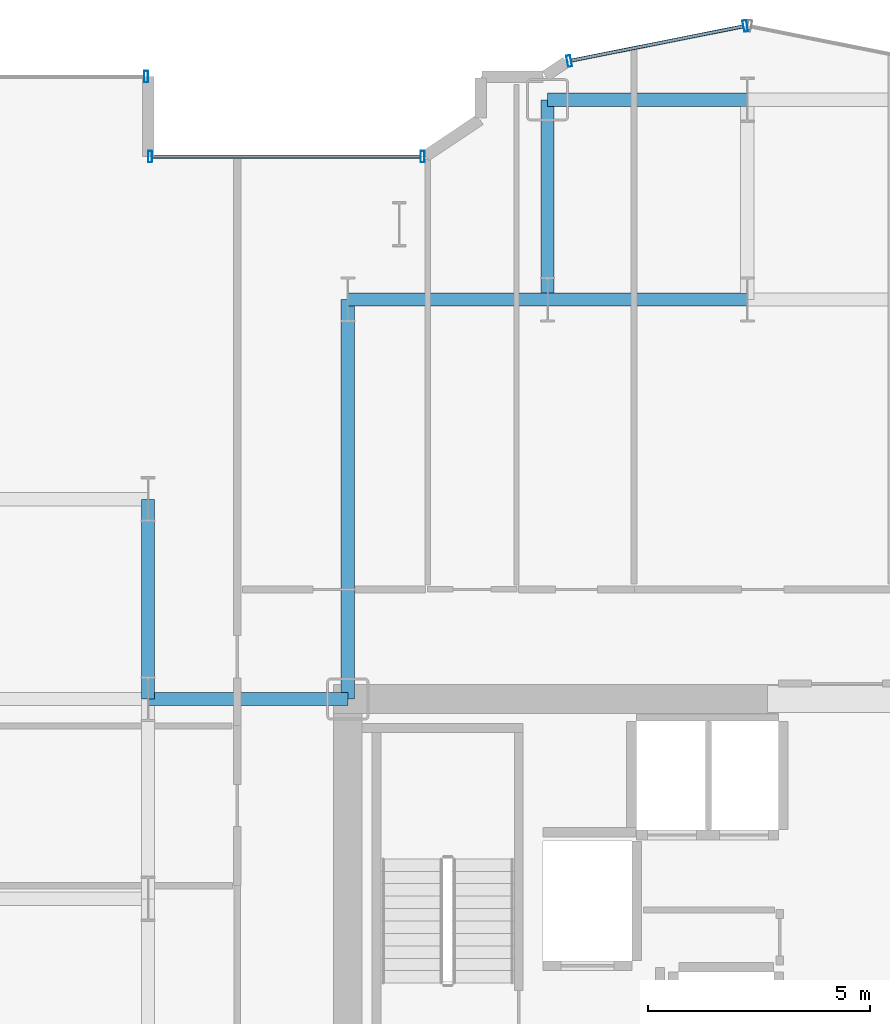
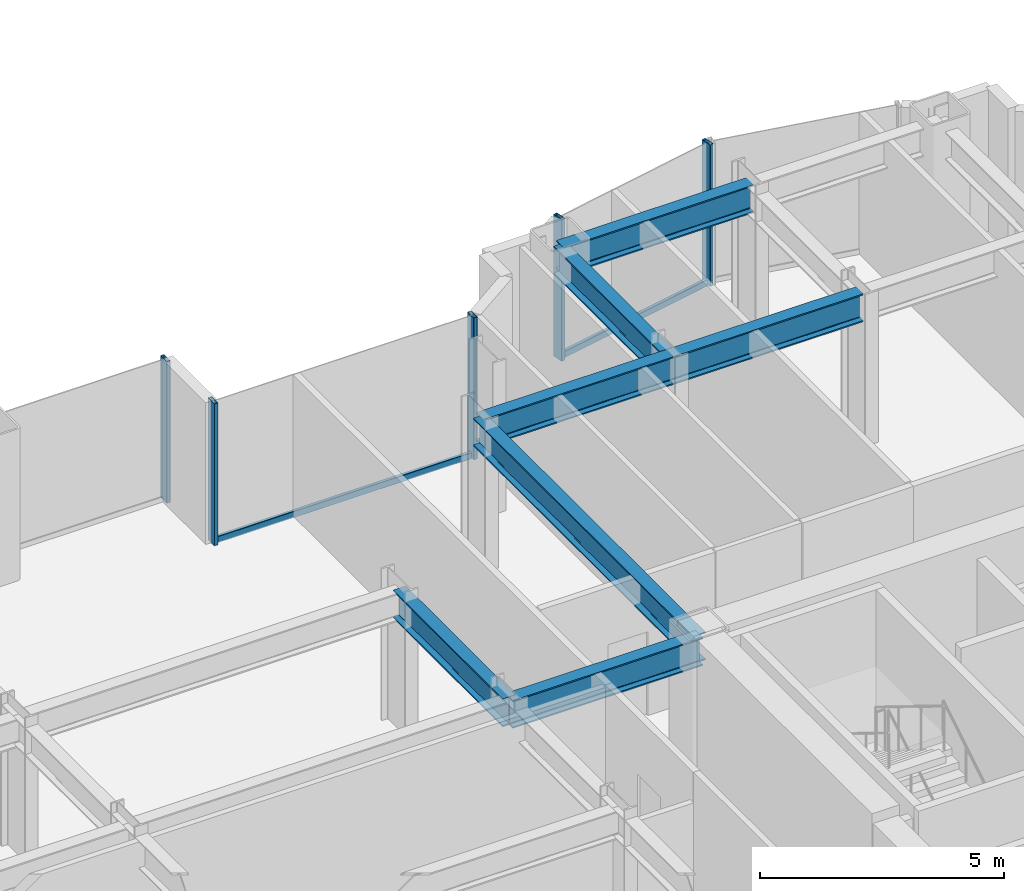
# One storey, part 10 of 27: 7 beams, 7 members, 3 elements without a shape of their own.
"""IFC4 building model written with IfcOpenShell, lengths in metres."""

from ifc_helpers import new_model, si_unit, direction, frame, origin, origin_2d, place, context, subcontext, project, spatial, hollow_rectangle, i_section, extrude, source, transform, mapped, material, layer, layer_set, material_profile, profile_set, type_object, element, aggregate, save


model = new_model("IFC4")

# Units and contexts
model_context = context("Model", 3, precision=1e-05, world=origin(), true_north=direction((0.0, 1.0)))
body_context = subcontext(model_context, "Body", "Model", "MODEL_VIEW")
ifc_project = project(units=[si_unit("LENGTHUNIT", "METRE"), si_unit("AREAUNIT", "SQUARE_METRE"), si_unit("VOLUMEUNIT", "CUBIC_METRE"), si_unit("PLANEANGLEUNIT", "RADIAN"), si_unit("MASSUNIT", "GRAM", prefix="KILO")], contexts=[model_context])

# Site, building, storey
site_placement = place(None, origin())
site = spatial("IfcSite", under=ifc_project, at=site_placement, CompositionType="ELEMENT")
building_placement = place(site_placement, origin())
building = spatial("IfcBuilding", under=site, at=building_placement, Name="Nefas-Gora Pilgrimage Tower", CompositionType="ELEMENT")
storey_placement = place(building_placement, frame((0.0, 0.0, 48.199951171875)))
storey = spatial("IfcBuildingStorey", under=building, at=storey_placement, Name="L10", CompositionType="ELEMENT", Elevation=48.199951171875)

# Beams
ifc_material_1 = material(Name="Steel S355", Category="steel")
ifc_material_profile_1 = material_profile(ifc_material_1, i_section(OverallWidth=0.300048828125, OverallDepth=0.699951171875, WebThickness=0.01708984375, FlangeThickness=0.031982421875, FilletRadius=0.027099609375, at=origin_2d()), Name="HEB 700")
ifc_profile_set_1 = profile_set([ifc_material_profile_1], Name="Steel S355")
beam_type = type_object("IfcBeamType", Name="BM-GIR-HEB700", PredefinedType="BEAM", material=ifc_profile_set_1)
shared_shape_1 = source(origin(), body_context, "Body", "SweptSolid", [
    extrude(i_section(OverallWidth=0.300048828125, OverallDepth=0.699951171875, WebThickness=0.01708984375, FlangeThickness=0.031982421875, FilletRadius=0.027099609375, at=origin_2d()), origin(), (0.0, 0.0, 1.0), 9.0),
])
beam_placement = place(storey_placement, frame((-11.25, 9.0, 3.199951171875), z_axis=(0.0, 1.0, 0.0), x_axis=(-1.0, 0.0, 0.0)))
element("IfcBeam", 1, at=beam_placement, inside=storey, type_object=beam_type, Name="L10 G-02 beam", PredefinedType="BEAM", context=body_context, shape_type="MappedRepresentation", body=[
    mapped(shared_shape_1, transform((0.0, 0.0, 0.0), x_axis=(1.0, 0.0, 0.0), y_axis=(0.0, 1.0, 0.0), z_axis=(0.0, 0.0, 1.0), scale=1.0)),
])
shared_shape_2 = source(origin(), body_context, "Body", "SweptSolid", [
    extrude(i_section(OverallWidth=0.300048828125, OverallDepth=0.699951171875, WebThickness=0.01708984375, FlangeThickness=0.031982421875, FilletRadius=0.027099609375, at=origin_2d()), origin(), (0.0, 0.0, 1.0), 4.5),
])
for number, where, z_axis, x_axis, name in (
    (2, (-15.75, 9.0, 3.199951171875), (0.0, 1.0, 0.0), (-1.0, 0.0, 0.0), "L10 G-02 beam"),
    (3, (-15.75, 9.0, 3.199951171875), (1.0, 0.0, 0.0), (0.0, 1.0, 0.0), "L10 G-02 beam"),
    (4, (-11.25, 18.0, 3.199951171875), (1.0, 0.0, 0.0), (0.0, 1.0, 0.0), "L10 G-02 beam"),
    (5, (-6.75, 18.0, 3.199951171875), (0.0, 1.0, 0.0), (-1.0, 0.0, 0.0), "L10 G-02 beam"),
    (6, (-6.75, 18.0, 3.199951171875), (1.0, 0.0, 0.0), (0.0, 1.0, 0.0), "L10 G-02 beam"),
    (7, (-6.75, 22.5, 3.199951171875), (1.0, 0.0, 0.0), (0.0, 1.0, 0.0), "L10 G-02 beam"),
):
    element("IfcBeam", number, at=place(storey_placement, frame(where, z_axis=z_axis, x_axis=x_axis)), inside=storey, type_object=beam_type, Name=name, PredefinedType="BEAM", context=body_context, shape_type="MappedRepresentation", body=[
        mapped(shared_shape_2, transform((0.0, 0.0, 0.0), x_axis=(1.0, 0.0, 0.0), y_axis=(0.0, 1.0, 0.0), z_axis=(0.0, 0.0, 1.0), scale=1.0)),
    ])

# Curtain wall, members
ifc_material_2 = material(Name="Dark ceramic-fritted solar-control aluminium-glass curtain wall", Category="aluminium")
ifc_layer_1 = layer(ifc_material_2, 0.219970703125)
ifc_layer_set_1 = layer_set([ifc_layer_1], Name="Dark ceramic-fritted solar-control aluminium-glass curtain wall")
curtain_wall_type_1 = type_object("IfcCurtainWallType", Name="CW-SYS-5", PredefinedType="NOTDEFINED", material=ifc_layer_set_1)
curtain_wall_1_placement = place(storey_placement, origin())
curtain_wall_1 = element("IfcCurtainWall", 8, at=curtain_wall_1_placement, inside=storey, type_object=curtain_wall_type_1, Name="L10 Unitised Curtain Wall CW5", PredefinedType="NOTDEFINED")
ifc_material_3 = material(Name="Anodised architectural aluminium", Category="aluminium")
ifc_material_profile_2 = material_profile(ifc_material_3, hollow_rectangle(XDim=0.090087890625, YDim=0.260009765625, WallThickness=0.006103515625, InnerFilletRadius=0.006103515625, OuterFilletRadius=0.011962890625, at=origin_2d()), Name="ALU MULLION 90x260")
ifc_profile_set_2 = profile_set([ifc_material_profile_2], Name="Anodised architectural aluminium")
member_type_1 = type_object("IfcMemberType", Name="CWM-MUL-5", PredefinedType="MULLION", material=ifc_profile_set_2)
shared_shape_3 = source(origin(), body_context, "Body", "SweptSolid", [
    extrude(hollow_rectangle(XDim=0.090087890625, YDim=0.260009765625, WallThickness=0.006103515625, InnerFilletRadius=0.006103515625, OuterFilletRadius=0.011962890625, at=origin_2d()), origin(), (0.0, 0.0, 1.0), 3.550048828125),
])
member_1_placement = place(storey_placement, frame((-2.294189453125, 24.16357421875, 0.0), z_axis=(0.0, 0.0, 1.0), x_axis=(-0.980782896852, -0.195102304554, 0.0)))
member_1 = element("IfcMember", 9, at=member_1_placement, type_object=member_type_1, Name="CW5 Mullion 1", PredefinedType="MULLION", context=body_context, shape_type="MappedRepresentation", body=[
    mapped(shared_shape_3, transform((0.0, 0.0, 0.0), x_axis=(1.0, 0.0, 0.0), y_axis=(0.0, 1.0, 0.0), z_axis=(0.0, 0.0, 1.0), scale=1.0)),
])
member_2_placement = place(storey_placement, frame((-6.26318359375, 23.3740234375, 0.0), z_axis=(0.0, 0.0, 1.0), x_axis=(-0.980782896852, -0.195102304554, 0.0)))
member_2 = element("IfcMember", 10, at=member_2_placement, type_object=member_type_1, Name="CW5 Mullion 2", PredefinedType="MULLION", context=body_context, shape_type="MappedRepresentation", body=[
    mapped(shared_shape_3, transform((0.0, 0.0, 0.0), x_axis=(1.0, 0.0, 0.0), y_axis=(0.0, 1.0, 0.0), z_axis=(0.0, 0.0, 1.0), scale=1.0)),
])

curtain_wall_2_placement = place(storey_placement, origin())
curtain_wall_2 = element("IfcCurtainWall", 11, at=curtain_wall_2_placement, inside=storey, type_object=curtain_wall_type_1, Name="L10 Unitised Curtain Wall CW5", PredefinedType="NOTDEFINED")
member_3_placement = place(storey_placement, frame((-9.56298828125, 21.219970703125, 0.0), z_axis=(0.0, 0.0, 1.0), x_axis=(-1.0, 0.0, 0.0)))
member_3 = element("IfcMember", 12, at=member_3_placement, type_object=member_type_1, Name="CW5 Mullion 1", PredefinedType="MULLION", context=body_context, shape_type="MappedRepresentation", body=[
    mapped(shared_shape_3, transform((0.0, 0.0, 0.0), x_axis=(1.0, 0.0, 0.0), y_axis=(0.0, 1.0, 0.0), z_axis=(0.0, 0.0, 1.0), scale=1.0)),
])
member_4_placement = place(storey_placement, frame((-15.705078125, 21.219970703125, 0.0), z_axis=(0.0, 0.0, 1.0), x_axis=(-1.0, 0.0, 0.0)))
member_4 = element("IfcMember", 13, at=member_4_placement, type_object=member_type_1, Name="CW5 Mullion 2", PredefinedType="MULLION", context=body_context, shape_type="MappedRepresentation", body=[
    mapped(shared_shape_3, transform((0.0, 0.0, 0.0), x_axis=(1.0, 0.0, 0.0), y_axis=(0.0, 1.0, 0.0), z_axis=(0.0, 0.0, 1.0), scale=1.0)),
])
ifc_material_profile_3 = material_profile(ifc_material_3, hollow_rectangle(XDim=0.080078125, YDim=0.159912109375, WallThickness=0.00439453125, InnerFilletRadius=0.00439453125, OuterFilletRadius=0.009033203125, at=origin_2d()), Name="ALU TRANSOM 80x160")
ifc_profile_set_3 = profile_set([ifc_material_profile_3], Name="Anodised architectural aluminium")
member_type_2 = type_object("IfcMemberType", Name="CWM-TRN-5", PredefinedType="USERDEFINED", material=ifc_profile_set_3)
shared_shape_4 = source(origin(), body_context, "Body", "SweptSolid", [
    extrude(hollow_rectangle(XDim=0.080078125, YDim=0.159912109375, WallThickness=0.00439453125, InnerFilletRadius=0.00439453125, OuterFilletRadius=0.009033203125, at=origin_2d()), origin(), (0.0, 0.0, 1.0), 6.052001953125),
])
member_5_placement = place(storey_placement, frame((-9.60791015625, 21.219970703125, 0.050048828125), z_axis=(-1.0, 0.0, 0.0), x_axis=(0.0, -1.0, 0.0)))
member_5 = element("IfcMember", 14, at=member_5_placement, type_object=member_type_2, Name="CW5 Spandrel Transom", ObjectType="TRANSOM", PredefinedType="USERDEFINED", context=body_context, shape_type="MappedRepresentation", body=[
    mapped(shared_shape_4, transform((0.0, 0.0, 0.0), x_axis=(1.0, 0.0, 0.0), y_axis=(0.0, 1.0, 0.0), z_axis=(0.0, 0.0, 1.0), scale=1.0)),
])
aggregate(curtain_wall_2, [member_3, member_4, member_5])

# Curtain wall, member
ifc_layer_2 = layer(ifc_material_2, 0.219970703125)
ifc_layer_set_2 = layer_set([ifc_layer_2], Name="Dark ceramic-fritted solar-control aluminium-glass curtain wall")
curtain_wall_type_2 = type_object("IfcCurtainWallType", Name="CW-SYS-2", PredefinedType="NOTDEFINED", material=ifc_layer_set_2)
curtain_wall_3_placement = place(storey_placement, origin())
curtain_wall_3 = element("IfcCurtainWall", 15, at=curtain_wall_3_placement, inside=storey, type_object=curtain_wall_type_2, Name="L10 Unitised Curtain Wall CW2", PredefinedType="NOTDEFINED")
ifc_material_profile_4 = material_profile(ifc_material_3, hollow_rectangle(XDim=0.090087890625, YDim=0.260009765625, WallThickness=0.006103515625, InnerFilletRadius=0.006103515625, OuterFilletRadius=0.011962890625, at=origin_2d()), Name="ALU MULLION 90x260")
ifc_profile_set_4 = profile_set([ifc_material_profile_4], Name="Anodised architectural aluminium")
member_type_3 = type_object("IfcMemberType", Name="CWM-MUL-2", PredefinedType="MULLION", material=ifc_profile_set_4)
shared_shape_5 = source(origin(), body_context, "Body", "SweptSolid", [
    extrude(hollow_rectangle(XDim=0.090087890625, YDim=0.260009765625, WallThickness=0.006103515625, InnerFilletRadius=0.006103515625, OuterFilletRadius=0.011962890625, at=origin_2d()), origin(), (0.0, 0.0, 1.0), 3.550048828125),
])
member_6_placement = place(storey_placement, frame((-15.794921875, 23.02001953125, 0.0), z_axis=(0.0, 0.0, 1.0), x_axis=(-1.0, 0.0, 0.0)))
member_6 = element("IfcMember", 16, at=member_6_placement, type_object=member_type_3, Name="CW2 Mullion 1", PredefinedType="MULLION", context=body_context, shape_type="MappedRepresentation", body=[
    mapped(shared_shape_5, transform((0.0, 0.0, 0.0), x_axis=(1.0, 0.0, 0.0), y_axis=(0.0, 1.0, 0.0), z_axis=(0.0, 0.0, 1.0), scale=1.0)),
])
aggregate(curtain_wall_3, [member_6])

# Member
shared_shape_6 = source(origin(), body_context, "Body", "SweptSolid", [
    extrude(hollow_rectangle(XDim=0.080078125, YDim=0.159912109375, WallThickness=0.00439453125, InnerFilletRadius=0.00439453125, OuterFilletRadius=0.009033203125, at=origin_2d()), origin(), (0.0, 0.0, 1.0), 3.95654296875),
])
member_7_placement = place(storey_placement, frame((-2.33837890625, 24.15478515625, 0.050048828125), z_axis=(-0.980781880918, -0.195107411605, 0.0), x_axis=(0.195107411605, -0.980781880918, 0.0)))
member_7 = element("IfcMember", 17, at=member_7_placement, type_object=member_type_2, Name="CW5 Spandrel Transom", ObjectType="TRANSOM", PredefinedType="USERDEFINED", context=body_context, shape_type="MappedRepresentation", body=[
    mapped(shared_shape_6, transform((0.0, 0.0, 0.0), x_axis=(1.0, 0.0, 0.0), y_axis=(0.0, 1.0, 0.0), z_axis=(0.0, 0.0, 1.0), scale=1.0)),
])

aggregate(curtain_wall_1, [member_1, member_2, member_7])

save(model, "model.ifc")
